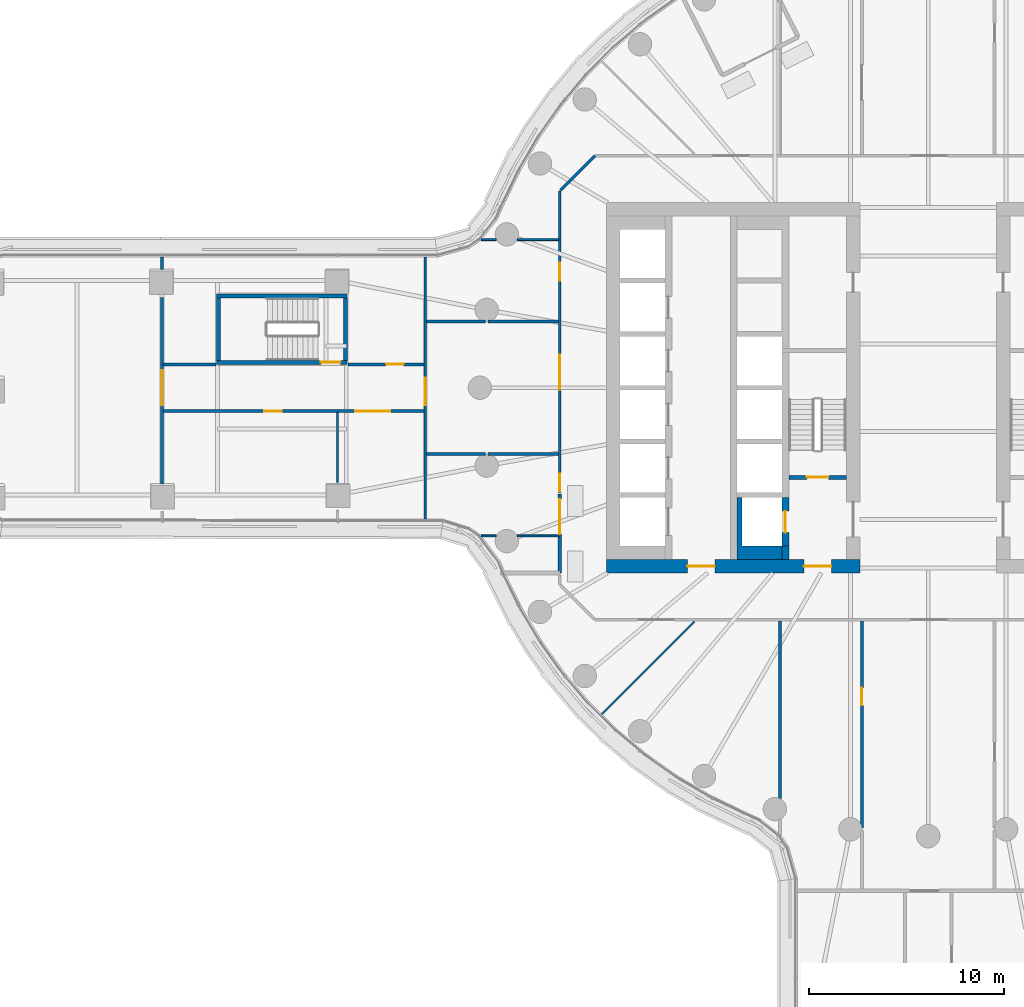
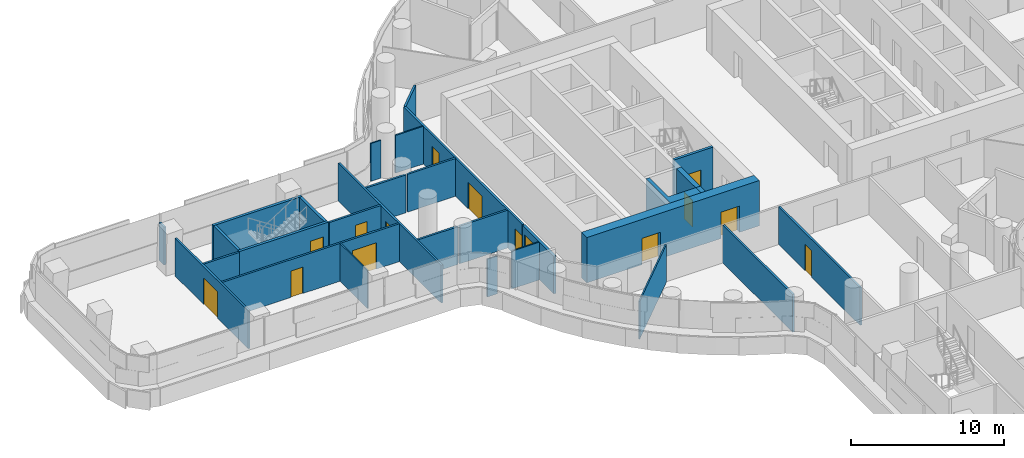
# One storey, part 20 of 32: 30 walls, 15 doors, 15 openings.
"""IFC4 building model written with IfcOpenShell, lengths in metres."""

from ifc_helpers import new_model, si_unit, direction, frame, frame_2d, origin, place, context, subcontext, project, spatial, polyline, rectangle, outline, extrude, material, layer, layer_set, type_object, element, fill, save


model = new_model("IFC4")

# Units and contexts
model_context = context("Model", 3, precision=1e-05, world=origin(), true_north=direction((0.0, 1.0)))
body_context = subcontext(model_context, "Body", "Model", "MODEL_VIEW")
ifc_project = project(units=[si_unit("LENGTHUNIT", "METRE"), si_unit("AREAUNIT", "SQUARE_METRE"), si_unit("VOLUMEUNIT", "CUBIC_METRE"), si_unit("PLANEANGLEUNIT", "RADIAN"), si_unit("MASSUNIT", "GRAM", prefix="KILO")], contexts=[model_context])

# Site, building, storey
site_placement = place(None, origin())
site = spatial("IfcSite", under=ifc_project, at=site_placement, CompositionType="ELEMENT")
building_placement = place(site_placement, origin())
building = spatial("IfcBuilding", under=site, at=building_placement, Name="Tamarind Cross Interchange Tower", CompositionType="ELEMENT")
storey_placement = place(building_placement, frame((0.0, 0.0, 34.0)))
storey = spatial("IfcBuildingStorey", under=building, at=storey_placement, Name="L06", CompositionType="ELEMENT", Elevation=34.0)

# Wall, opening, door
ifc_material_1 = material(Name="Concrete C40", Category="concrete")
ifc_layer_1 = layer(ifc_material_1, 0.199951171875)
ifc_layer_set_1 = layer_set([ifc_layer_1], Name="Concrete C40")
wall_type_1 = type_object("IfcWallType", Name="Balcony and garden door wall", PredefinedType="SOLIDWALL", material=ifc_layer_set_1)
wall_1_placement = place(storey_placement, frame((-18.89990234375, -5.462890625, 0.0), z_axis=(0.0, 0.0, 1.0), x_axis=(0.0, -1.0, 0.0)))
wall_1 = element("IfcWall", 1, at=wall_1_placement, inside=storey, type_object=wall_type_1, Name="EXW-L06-WG-L06-WS", PredefinedType="SOLIDWALL", context=body_context, shape_type="SweptSolid", body=[
    extrude(rectangle(XDim=4.037109375, YDim=0.199951171875, at=frame_2d((2.0185546875, 0.0))), origin(), (0.0, 0.0, 1.0), 3.013916015625),
])
opening_1_placement = place(wall_1_placement, frame((0.25, 0.0, 0.0)))
opening_1 = element("IfcOpeningElement", 2, at=opening_1_placement, cuts=wall_1, Name="Opening D6", PredefinedType="OPENING", context=body_context, shape_type="SweptSolid", body=[
    extrude(rectangle(XDim=1.800048828125, YDim=2.39990234375, at=frame_2d((0.89990234375, 1.199951171875))), frame((0.0, 0.10986328125, 0.0), z_axis=(0.0, -1.0, 0.0), x_axis=(1.0, 0.0, 0.0)), (0.0, 0.0, 1.0), 0.219970703125),
])
ifc_material_2 = material(Name="Aluminium and toughened glass, fire-resisting", Category="aluminium")
door_type_1 = type_object("IfcDoorType", Name="Roof garden door, fire-resisting", OperationType="DOUBLE_DOOR_SINGLE_SWING", PredefinedType="DOOR", material=ifc_material_2)
door_1_placement = place(opening_1_placement, origin())
door_1 = element("IfcDoor", 3, at=door_1_placement, inside=storey, type_object=door_type_1, Name="DOR-L06-WG-L06-WS", OperationType="SINGLE_SWING_LEFT", OverallHeight=2.39990234375, OverallWidth=1.800048828125, PredefinedType="DOOR", context=body_context, shape_type="SweptSolid", body=[
    extrude(rectangle(XDim=1.800048828125, YDim=2.39990234375, at=frame_2d((0.89990234375, 1.199951171875))), frame((0.0, 0.02490234375, 0.0), z_axis=(0.0, -1.0, 0.0), x_axis=(1.0, 0.0, 0.0)), (0.0, 0.0, 1.0), 0.050048828125),
])
fill(opening_1, door_1)

# Wall, openings, doors
ifc_material_3 = material(Name="Concrete C80", Category="concrete")
ifc_layer_2 = layer(ifc_material_3, 0.699951171875)
ifc_layer_set_2 = layer_set([ifc_layer_2], Name="Concrete C80")
wall_type_2 = type_object("IfcWallType", Name="Core wall 700 mm Concrete C80", PredefinedType="SHEAR", material=ifc_layer_set_2)
wall_2_placement = place(storey_placement, frame((-16.5, -9.14990234375, 0.0), z_axis=(0.0, 0.0, 1.0), x_axis=(1.0, 0.0, 0.0)))
wall_2 = element("IfcWall", 4, at=wall_2_placement, inside=storey, type_object=wall_type_2, Name="Core wall CWL-L06-W-S", PredefinedType="SHEAR", context=body_context, shape_type="SweptSolid", body=[
    extrude(rectangle(XDim=13.0, YDim=0.699951171875, at=frame_2d((6.5, 0.0))), origin(), (0.0, 0.0, 1.0), 3.610107421875),
])
opening_2_placement = place(wall_2_placement, frame((4.14990234375, 0.0, 0.0)))
opening_2 = element("IfcOpeningElement", 5, at=opening_2_placement, cuts=wall_2, Name="Opening DCW1", PredefinedType="OPENING", context=body_context, shape_type="SweptSolid", body=[
    extrude(rectangle(XDim=1.39990234375, YDim=2.10009765625, at=frame_2d((0.699951171875, 1.050048828125))), frame((0.0, 0.35986328125, 0.0), z_axis=(0.0, -1.0, 0.0), x_axis=(1.0, 0.0, 0.0)), (0.0, 0.0, 1.0), 0.719970703125),
])
opening_3_placement = place(wall_2_placement, frame((10.125, 0.0, 0.0)))
opening_3 = element("IfcOpeningElement", 6, at=opening_3_placement, cuts=wall_2, Name="Opening DCWF", PredefinedType="OPENING", context=body_context, shape_type="SweptSolid", body=[
    extrude(rectangle(XDim=1.39990234375, YDim=2.10009765625, at=frame_2d((0.699951171875, 1.050048828125))), frame((0.0, 0.35986328125, 0.0), z_axis=(0.0, -1.0, 0.0), x_axis=(1.0, 0.0, 0.0)), (0.0, 0.0, 1.0), 0.719970703125),
])
ifc_material_4 = material(Name="Steel, fire-resisting", Category="steel")
door_type_2 = type_object("IfcDoorType", Name="Core fire door 1400 x 2100 FD90", OperationType="SINGLE_SWING_LEFT", PredefinedType="DOOR", material=ifc_material_4)
door_2_placement = place(opening_2_placement, origin())
door_2 = element("IfcDoor", 7, at=door_2_placement, inside=storey, type_object=door_type_2, Name="L06 lift lobby door", OperationType="SINGLE_SWING_LEFT", OverallHeight=2.10009765625, OverallWidth=1.39990234375, PredefinedType="DOOR", context=body_context, shape_type="SweptSolid", body=[
    extrude(rectangle(XDim=1.39990234375, YDim=2.10009765625, at=frame_2d((0.699951171875, 1.050048828125))), frame((0.0, 0.02490234375, 0.0), z_axis=(0.0, -1.0, 0.0), x_axis=(1.0, 0.0, 0.0)), (0.0, 0.0, 1.0), 0.050048828125),
])
fill(opening_2, door_2)
door_3_placement = place(opening_3_placement, origin())
door_3 = element("IfcDoor", 8, at=door_3_placement, inside=storey, type_object=door_type_2, Name="L06 firefighting lobby end door", OperationType="SINGLE_SWING_LEFT", OverallHeight=2.10009765625, OverallWidth=1.39990234375, PredefinedType="DOOR", context=body_context, shape_type="SweptSolid", body=[
    extrude(rectangle(XDim=1.39990234375, YDim=2.10009765625, at=frame_2d((0.699951171875, 1.050048828125))), frame((0.0, 0.02490234375, 0.0), z_axis=(0.0, -1.0, 0.0), x_axis=(1.0, 0.0, 0.0)), (0.0, 0.0, 1.0), 0.050048828125),
])
fill(opening_3, door_3)

# Walls
ifc_layer_3 = layer(ifc_material_3, 0.35009765625)
ifc_layer_set_3 = layer_set([ifc_layer_3], Name="Concrete C80")
wall_type_3 = type_object("IfcWallType", Name="Core web wall 350 mm Concrete C80", PredefinedType="SHEAR", material=ifc_layer_set_3)
wall_3_placement = place(storey_placement, origin())
element("IfcWall", 9, at=wall_3_placement, inside=storey, type_object=wall_type_3, Name="Core wall CWL-L06-W-BS", PredefinedType="SHEAR", context=body_context, shape_type="SweptSolid", body=[
    extrude(outline(polyline([(-7.5, -8.125), (-9.550048828125, -8.125), (-9.550048828125, -5.625), (-9.800048828125, -5.625), (-9.800048828125, -8.125), (-9.800048828125, -8.800048828125), (-7.5, -8.800048828125), (-7.5, -8.125)])), origin(), (0.0, 0.0, 1.0), 3.610107421875),
])
wall_4_placement = place(storey_placement, frame((-7.324951171875, -8.800048828125, 0.0), z_axis=(0.0, 0.0, 1.0), x_axis=(0.0, 1.0, 0.0)))
element("IfcWall", 10, at=wall_4_placement, inside=storey, type_object=wall_type_3, Name="Core wall CWL-L06-W-BW", PredefinedType="SHEAR", context=body_context, shape_type="SweptSolid", body=[
    extrude(rectangle(XDim=0.675048828125, YDim=0.35009765625, at=frame_2d((0.33740234375, 0.0))), origin(), (0.0, 0.0, 1.0), 3.610107421875),
])

# Wall, opening, door
wall_5_placement = place(storey_placement, frame((-7.324951171875, -8.125, 0.0), z_axis=(0.0, 0.0, 1.0), x_axis=(0.0, 1.0, 0.0)))
wall_5 = element("IfcWall", 11, at=wall_5_placement, inside=storey, type_object=wall_type_3, Name="Core wall CWL-L06-W-FF", PredefinedType="SHEAR", context=body_context, shape_type="SweptSolid", body=[
    extrude(rectangle(XDim=2.5, YDim=0.35009765625, at=frame_2d((1.25, 0.0))), origin(), (0.0, 0.0, 1.0), 3.610107421875),
])
opening_4_placement = place(wall_5_placement, frame((0.699951171875, 0.0, 0.0)))
opening_4 = element("IfcOpeningElement", 12, at=opening_4_placement, cuts=wall_5, Name="Opening LD7L06", PredefinedType="OPENING", context=body_context, shape_type="SweptSolid", body=[
    extrude(rectangle(XDim=1.10009765625, YDim=2.10009765625, at=frame_2d((0.550048828125, 1.050048828125))), frame((0.0, 0.18505859375, 0.0), z_axis=(0.0, -1.0, 0.0), x_axis=(1.0, 0.0, 0.0)), (0.0, 0.0, 1.0), 0.3701171875),
])
ifc_material_5 = material(Name="Stainless steel panel", Category="steel")
door_type_3 = type_object("IfcDoorType", Name="Lift landing door 1100 x 2100 E 120", OperationType="SLIDING_TO_LEFT", PredefinedType="DOOR", material=ifc_material_5)
door_4_placement = place(opening_4_placement, origin())
door_4 = element("IfcDoor", 13, at=door_4_placement, inside=storey, type_object=door_type_3, Name="L06 landing door LF7", OperationType="SLIDING_TO_LEFT", OverallHeight=2.10009765625, OverallWidth=1.10009765625, PredefinedType="DOOR", context=body_context, shape_type="SweptSolid", body=[
    extrude(rectangle(XDim=1.10009765625, YDim=2.10009765625, at=frame_2d((0.550048828125, 1.050048828125))), frame((0.0, 0.02490234375, 0.0), z_axis=(0.0, -1.0, 0.0), x_axis=(1.0, 0.0, 0.0)), (0.0, 0.0, 1.0), 0.050048828125),
])
fill(opening_4, door_4)

# Walls
ifc_material_6 = material(Name="Gypsum board partition on steel studs", Category="steel")
ifc_layer_4 = layer(ifc_material_6, 0.10009765625)
ifc_layer_set_4 = layer_set([ifc_layer_4], Name="Gypsum board partition on steel studs")
wall_type_4 = type_object("IfcWallType", Name="Partition 100 mm EI 120", PredefinedType="PARTITIONING", material=ifc_layer_set_4)
wall_6_placement = place(storey_placement, frame((-21.07421875, -7.60009765625, 0.0), z_axis=(0.0, 0.0, 1.0), x_axis=(1.0, 0.0, 0.0)))
element("IfcWall", 14, at=wall_6_placement, inside=storey, type_object=wall_type_4, Name="Partition L06-020", PredefinedType="PARTITIONING", context=body_context, shape_type="SweptSolid", body=[
    extrude(rectangle(XDim=2.17431640625, YDim=0.10009765625, at=frame_2d((1.087158203125, 0.0))), origin(), (0.0, 0.0, 1.0), 3.010009765625),
])
ifc_layer_5 = layer(ifc_material_6, 0.10009765625)
ifc_layer_set_5 = layer_set([ifc_layer_5], Name="Gypsum board partition on steel studs")
wall_type_5 = type_object("IfcWallType", Name="Partition 100 mm EI 90", PredefinedType="PARTITIONING", material=ifc_layer_set_5)
wall_7_placement = place(storey_placement, frame((-22.921875, -7.60009765625, 0.0), z_axis=(0.0, 0.0, 1.0), x_axis=(1.0, 0.0, 0.0)))
element("IfcWall", 15, at=wall_7_placement, inside=storey, type_object=wall_type_5, Name="Partition L06-019", PredefinedType="PARTITIONING", context=body_context, shape_type="SweptSolid", body=[
    extrude(rectangle(XDim=0.770263671875, YDim=0.10009765625, at=frame_2d((0.38525390625, 0.0))), origin(), (0.0, 0.0, 1.0), 3.010009765625),
])
wall_8_placement = place(storey_placement, frame((-22.920654296875, 7.60009765625, 0.0), z_axis=(0.0, 0.0, 1.0), x_axis=(1.0, 0.0, 0.0)))
element("IfcWall", 16, at=wall_8_placement, inside=storey, type_object=wall_type_5, Name="Partition L06-023", PredefinedType="PARTITIONING", context=body_context, shape_type="SweptSolid", body=[
    extrude(rectangle(XDim=0.76904296875, YDim=0.10009765625, at=frame_2d((0.384521484375, 0.0))), origin(), (0.0, 0.0, 1.0), 3.010009765625),
])
wall_9_placement = place(storey_placement, frame((-21.07421875, 7.60009765625, 0.0), z_axis=(0.0, 0.0, 1.0), x_axis=(1.0, 0.0, 0.0)))
element("IfcWall", 17, at=wall_9_placement, inside=storey, type_object=wall_type_5, Name="Partition L06-024", PredefinedType="PARTITIONING", context=body_context, shape_type="SweptSolid", body=[
    extrude(rectangle(XDim=2.119140625, YDim=0.10009765625, at=frame_2d((1.0595703125, 0.0))), origin(), (0.0, 0.0, 1.0), 3.010009765625),
])
wall_10_placement = place(storey_placement, frame((-16.740478515625, -16.740478515625, 0.0), z_axis=(0.0, 0.0, 1.0), x_axis=(0.707106781187, 0.707106781187, 0.0)))
element("IfcWall", 18, at=wall_10_placement, inside=storey, type_object=wall_type_5, Name="Partition L06-041", PredefinedType="PARTITIONING", context=body_context, shape_type="SweptSolid", body=[
    extrude(rectangle(XDim=6.71533203125, YDim=0.10009765625, at=frame_2d((3.357666015625, 0.0))), origin(), (0.0, 0.0, 1.0), 3.010009765625),
])
wall_11_placement = place(storey_placement, frame((-30.300048828125, -4.85888671875, 0.0), z_axis=(0.0, 0.0, 1.0), x_axis=(0.0, 1.0, 0.0)))
element("IfcWall", 19, at=wall_11_placement, inside=storey, type_object=wall_type_5, Name="Partition L06-048", PredefinedType="PARTITIONING", context=body_context, shape_type="SweptSolid", body=[
    extrude(rectangle(XDim=3.598876953125, YDim=0.10009765625, at=frame_2d((1.79931640625, 0.0))), origin(), (0.0, 0.0, 1.0), 3.010009765625),
])

# Wall, openings, doors
ifc_layer_6 = layer(ifc_material_6, 0.14990234375)
ifc_layer_set_6 = layer_set([ifc_layer_6], Name="Gypsum board partition on steel studs")
wall_type_6 = type_object("IfcWallType", Name="Partition 150 mm EI 120", PredefinedType="PARTITIONING", material=ifc_layer_set_6)
wall_12_placement = place(storey_placement, frame((-39.239990234375, -1.199951171875, 0.0), z_axis=(0.0, 0.0, 1.0), x_axis=(1.0, 0.0, 0.0)))
wall_12 = element("IfcWall", 20, at=wall_12_placement, inside=storey, type_object=wall_type_6, Name="Partition L06-005", PredefinedType="PARTITIONING", context=body_context, shape_type="SweptSolid", body=[
    extrude(rectangle(XDim=13.385009765625, YDim=0.14990234375, at=frame_2d((6.6923828125, 0.0))), origin(), (0.0, 0.0, 1.0), 3.010009765625),
])
opening_5_placement = place(wall_12_placement, frame((5.18994140625, 0.0, 0.0)))
opening_5 = element("IfcOpeningElement", 21, at=opening_5_placement, cuts=wall_12, Name="Opening D01", PredefinedType="OPENING", context=body_context, shape_type="SweptSolid", body=[
    extrude(rectangle(XDim=0.89990234375, YDim=2.10009765625, at=frame_2d((0.449951171875, 1.050048828125))), frame((0.0, 0.0849609375, 0.0), z_axis=(0.0, -1.0, 0.0), x_axis=(1.0, 0.0, 0.0)), (0.0, 0.0, 1.0), 0.169921875),
])
opening_6_placement = place(wall_12_placement, frame((9.840087890625, 0.0, 0.0)))
opening_6 = element("IfcOpeningElement", 22, at=opening_6_placement, cuts=wall_12, Name="Opening D02", PredefinedType="OPENING", context=body_context, shape_type="SweptSolid", body=[
    extrude(rectangle(XDim=1.800048828125, YDim=2.10009765625, at=frame_2d((0.89990234375, 1.050048828125))), frame((0.0, 0.0849609375, 0.0), z_axis=(0.0, -1.0, 0.0), x_axis=(1.0, 0.0, 0.0)), (0.0, 0.0, 1.0), 0.169921875),
])
ifc_material_7 = material(Name="Fire-resisting door set")
door_type_4 = type_object("IfcDoorType", Name="Interior door 1800 x 2100 FD60S", OperationType="DOUBLE_DOOR_SINGLE_SWING", PredefinedType="DOOR", material=ifc_material_7)
door_5_placement = place(opening_6_placement, frame((1.800048828125, 0.0, 0.0), z_axis=(0.0, 0.0, 1.0), x_axis=(-1.0, 0.0, 0.0)))
door_5 = element("IfcDoor", 23, at=door_5_placement, inside=storey, type_object=door_type_4, Name="Door D02", OperationType="DOUBLE_DOOR_SINGLE_SWING", OverallHeight=2.10009765625, OverallWidth=1.800048828125, PredefinedType="DOOR", context=body_context, shape_type="SweptSolid", body=[
    extrude(rectangle(XDim=1.800048828125, YDim=2.10009765625, at=frame_2d((0.89990234375, 1.050048828125))), frame((0.0, 0.02490234375, 0.0), z_axis=(0.0, -1.0, 0.0), x_axis=(1.0, 0.0, 0.0)), (0.0, 0.0, 1.0), 0.050048828125),
])
fill(opening_6, door_5)
door_type_5 = type_object("IfcDoorType", Name="Interior door 900 x 2100 FD60S", OperationType="SINGLE_SWING_LEFT", PredefinedType="DOOR", material=ifc_material_7)
door_6_placement = place(opening_5_placement, frame((0.89990234375, 0.0, 0.0), z_axis=(0.0, 0.0, 1.0), x_axis=(-1.0, 0.0, 0.0)))
door_6 = element("IfcDoor", 24, at=door_6_placement, inside=storey, type_object=door_type_5, Name="Door D01", OperationType="SINGLE_SWING_LEFT", OverallHeight=2.10009765625, OverallWidth=0.89990234375, PredefinedType="DOOR", context=body_context, shape_type="SweptSolid", body=[
    extrude(rectangle(XDim=0.89990234375, YDim=2.10009765625, at=frame_2d((0.449951171875, 1.050048828125))), frame((0.0, 0.02490234375, 0.0), z_axis=(0.0, -1.0, 0.0), x_axis=(1.0, 0.0, 0.0)), (0.0, 0.0, 1.0), 0.050048828125),
])
fill(opening_5, door_6)

# Wall
wall_13_placement = place(storey_placement, frame((-39.239990234375, 1.199951171875, 0.0), z_axis=(0.0, 0.0, 1.0), x_axis=(1.0, 0.0, 0.0)))
element("IfcWall", 25, at=wall_13_placement, inside=storey, type_object=wall_type_6, Name="Partition L06-008", PredefinedType="PARTITIONING", context=body_context, shape_type="SweptSolid", body=[
    extrude(rectangle(XDim=2.699951171875, YDim=0.14990234375, at=frame_2d((1.35009765625, 0.0))), origin(), (0.0, 0.0, 1.0), 3.010009765625),
])

# Wall, opening, door
wall_14_placement = place(storey_placement, frame((-29.760009765625, 1.199951171875, 0.0), z_axis=(0.0, 0.0, 1.0), x_axis=(1.0, 0.0, 0.0)))
wall_14 = element("IfcWall", 26, at=wall_14_placement, inside=storey, type_object=wall_type_6, Name="Partition L06-009", PredefinedType="PARTITIONING", context=body_context, shape_type="SweptSolid", body=[
    extrude(rectangle(XDim=3.905029296875, YDim=0.14990234375, at=frame_2d((1.95263671875, 0.0))), origin(), (0.0, 0.0, 1.0), 3.010009765625),
])
opening_7_placement = place(wall_14_placement, frame((1.949951171875, 0.0, 0.0)))
opening_7 = element("IfcOpeningElement", 27, at=opening_7_placement, cuts=wall_14, Name="Opening D04", PredefinedType="OPENING", context=body_context, shape_type="SweptSolid", body=[
    extrude(rectangle(XDim=0.89990234375, YDim=2.10009765625, at=frame_2d((0.449951171875, 1.050048828125))), frame((0.0, 0.0849609375, 0.0), z_axis=(0.0, -1.0, 0.0), x_axis=(1.0, 0.0, 0.0)), (0.0, 0.0, 1.0), 0.169921875),
])
door_7_placement = place(opening_7_placement, origin())
door_7 = element("IfcDoor", 28, at=door_7_placement, inside=storey, type_object=door_type_5, Name="Door D04", OperationType="SINGLE_SWING_LEFT", OverallHeight=2.10009765625, OverallWidth=0.89990234375, PredefinedType="DOOR", context=body_context, shape_type="SweptSolid", body=[
    extrude(rectangle(XDim=0.89990234375, YDim=2.10009765625, at=frame_2d((0.449951171875, 1.050048828125))), frame((0.0, 0.02490234375, 0.0), z_axis=(0.0, -1.0, 0.0), x_axis=(1.0, 0.0, 0.0)), (0.0, 0.0, 1.0), 0.050048828125),
])
fill(opening_7, door_7)

# Walls
wall_15_placement = place(storey_placement, frame((-25.7451171875, -3.39990234375, 0.0), z_axis=(0.0, 0.0, 1.0), x_axis=(1.0, 0.0, 0.0)))
element("IfcWall", 29, at=wall_15_placement, inside=storey, type_object=wall_type_6, Name="Partition L06-011", PredefinedType="PARTITIONING", context=body_context, shape_type="SweptSolid", body=[
    extrude(rectangle(XDim=3.034423828125, YDim=0.14990234375, at=frame_2d((1.51708984375, 0.0))), origin(), (0.0, 0.0, 1.0), 3.010009765625),
])
wall_16_placement = place(storey_placement, frame((-22.590576171875, -3.39990234375, 0.0), z_axis=(0.0, 0.0, 1.0), x_axis=(1.0, 0.0, 0.0)))
element("IfcWall", 30, at=wall_16_placement, inside=storey, type_object=wall_type_6, Name="Partition L06-012", PredefinedType="PARTITIONING", context=body_context, shape_type="SweptSolid", body=[
    extrude(rectangle(XDim=3.635498046875, YDim=0.14990234375, at=frame_2d((1.81787109375, 0.0))), origin(), (0.0, 0.0, 1.0), 3.010009765625),
])
wall_17_placement = place(storey_placement, frame((-25.7451171875, 3.39990234375, 0.0), z_axis=(0.0, 0.0, 1.0), x_axis=(1.0, 0.0, 0.0)))
element("IfcWall", 31, at=wall_17_placement, inside=storey, type_object=wall_type_6, Name="Partition L06-015", PredefinedType="PARTITIONING", context=body_context, shape_type="SweptSolid", body=[
    extrude(rectangle(XDim=3.034423828125, YDim=0.14990234375, at=frame_2d((1.51708984375, 0.0))), origin(), (0.0, 0.0, 1.0), 3.010009765625),
])
wall_18_placement = place(storey_placement, frame((-22.590576171875, 3.39990234375, 0.0), z_axis=(0.0, 0.0, 1.0), x_axis=(1.0, 0.0, 0.0)))
element("IfcWall", 32, at=wall_18_placement, inside=storey, type_object=wall_type_6, Name="Partition L06-016", PredefinedType="PARTITIONING", context=body_context, shape_type="SweptSolid", body=[
    extrude(rectangle(XDim=3.635498046875, YDim=0.14990234375, at=frame_2d((1.81787109375, 0.0))), origin(), (0.0, 0.0, 1.0), 3.010009765625),
])
wall_19_placement = place(storey_placement, frame((-18.87158203125, 10.12841796875, 0.0), z_axis=(0.0, 0.0, 1.0), x_axis=(0.707106781187, 0.707106781187, 0.0)))
element("IfcWall", 33, at=wall_19_placement, inside=storey, type_object=wall_type_6, Name="Partition L06-040", PredefinedType="PARTITIONING", context=body_context, shape_type="SweptSolid", body=[
    extrude(rectangle(XDim=2.50537109375, YDim=0.14990234375, at=frame_2d((1.252685546875, 0.0))), origin(), (0.0, 0.0, 1.0), 3.010009765625),
])

# Wall, opening, door
wall_20_placement = place(storey_placement, frame((-39.300048828125, -4.941162109375, 0.0), z_axis=(0.0, 0.0, 1.0), x_axis=(0.0, 1.0, 0.0)))
wall_20 = element("IfcWall", 34, at=wall_20_placement, inside=storey, type_object=wall_type_6, Name="Partition L06-045", PredefinedType="PARTITIONING", context=body_context, shape_type="SweptSolid", body=[
    extrude(rectangle(XDim=9.566162109375, YDim=0.14990234375, at=frame_2d((4.783203125, 0.0))), origin(), (0.0, 0.0, 1.0), 3.010009765625),
])
opening_8_placement = place(wall_20_placement, frame((4.041015625, 0.0, 0.0)))
opening_8 = element("IfcOpeningElement", 35, at=opening_8_placement, cuts=wall_20, Name="Opening D19", PredefinedType="OPENING", context=body_context, shape_type="SweptSolid", body=[
    extrude(rectangle(XDim=1.800048828125, YDim=2.10009765625, at=frame_2d((0.89990234375, 1.050048828125))), frame((0.0, 0.0849609375, 0.0), z_axis=(0.0, -1.0, 0.0), x_axis=(1.0, 0.0, 0.0)), (0.0, 0.0, 1.0), 0.169921875),
])
door_8_placement = place(opening_8_placement, origin())
door_8 = element("IfcDoor", 36, at=door_8_placement, inside=storey, type_object=door_type_4, Name="Door D19", OperationType="DOUBLE_DOOR_SINGLE_SWING", OverallHeight=2.10009765625, OverallWidth=1.800048828125, PredefinedType="DOOR", context=body_context, shape_type="SweptSolid", body=[
    extrude(rectangle(XDim=1.800048828125, YDim=2.10009765625, at=frame_2d((0.89990234375, 1.050048828125))), frame((0.0, 0.02490234375, 0.0), z_axis=(0.0, -1.0, 0.0), x_axis=(1.0, 0.0, 0.0)), (0.0, 0.0, 1.0), 0.050048828125),
])
fill(opening_8, door_8)

# Wall
wall_21_placement = place(storey_placement, frame((-39.300048828125, 6.058837890625, 0.0), z_axis=(0.0, 0.0, 1.0), x_axis=(0.0, 1.0, 0.0)))
element("IfcWall", 37, at=wall_21_placement, inside=storey, type_object=wall_type_6, Name="Partition L06-046", PredefinedType="PARTITIONING", context=body_context, shape_type="SweptSolid", body=[
    extrude(rectangle(XDim=0.64013671875, YDim=0.14990234375, at=frame_2d((0.320068359375, 0.0))), origin(), (0.0, 0.0, 1.0), 3.010009765625),
])

# Wall, opening, door
wall_22_placement = place(storey_placement, frame((-25.800048828125, -6.74169921875, 0.0), z_axis=(0.0, 0.0, 1.0), x_axis=(0.0, 1.0, 0.0)))
wall_22 = element("IfcWall", 38, at=wall_22_placement, inside=storey, type_object=wall_type_6, Name="Partition L06-049", PredefinedType="PARTITIONING", context=body_context, shape_type="SweptSolid", body=[
    extrude(rectangle(XDim=13.440673828125, YDim=0.14990234375, at=frame_2d((6.72021484375, 0.0))), origin(), (0.0, 0.0, 1.0), 3.010009765625),
])
opening_9_placement = place(wall_22_placement, frame((5.841552734375, 0.0, 0.0)))
opening_9 = element("IfcOpeningElement", 39, at=opening_9_placement, cuts=wall_22, Name="Opening D20", PredefinedType="OPENING", context=body_context, shape_type="SweptSolid", body=[
    extrude(rectangle(XDim=1.39990234375, YDim=2.10009765625, at=frame_2d((0.699951171875, 1.050048828125))), frame((0.0, 0.0849609375, 0.0), z_axis=(0.0, -1.0, 0.0), x_axis=(1.0, 0.0, 0.0)), (0.0, 0.0, 1.0), 0.169921875),
])
door_type_6 = type_object("IfcDoorType", Name="Interior door 1400 x 2100 FD60S", OperationType="DOUBLE_DOOR_SINGLE_SWING", PredefinedType="DOOR", material=ifc_material_7)
door_9_placement = place(opening_9_placement, frame((1.39990234375, 0.0, 0.0), z_axis=(0.0, 0.0, 1.0), x_axis=(-1.0, 0.0, 0.0)))
door_9 = element("IfcDoor", 40, at=door_9_placement, inside=storey, type_object=door_type_6, Name="Door D20", OperationType="DOUBLE_DOOR_SINGLE_SWING", OverallHeight=2.10009765625, OverallWidth=1.39990234375, PredefinedType="DOOR", context=body_context, shape_type="SweptSolid", body=[
    extrude(rectangle(XDim=1.39990234375, YDim=2.10009765625, at=frame_2d((0.699951171875, 1.050048828125))), frame((0.0, 0.02490234375, 0.0), z_axis=(0.0, -1.0, 0.0), x_axis=(1.0, 0.0, 0.0)), (0.0, 0.0, 1.0), 0.050048828125),
])
fill(opening_9, door_9)

# Wall, openings, doors
wall_23_placement = place(storey_placement, frame((-18.89990234375, -5.36279296875, 0.0), z_axis=(0.0, 0.0, 1.0), x_axis=(0.0, 1.0, 0.0)))
wall_23 = element("IfcWall", 41, at=wall_23_placement, inside=storey, type_object=wall_type_6, Name="Partition L06-051", PredefinedType="PARTITIONING", context=body_context, shape_type="SweptSolid", body=[
    extrude(rectangle(XDim=15.462890625, YDim=0.14990234375, at=frame_2d((7.7314453125, 0.0))), origin(), (0.0, 0.0, 1.0), 3.010009765625),
])
opening_10_placement = place(wall_23_placement, frame((5.262939453125, 0.0, 0.0)))
opening_10 = element("IfcOpeningElement", 42, at=opening_10_placement, cuts=wall_23, Name="Opening D21", PredefinedType="OPENING", context=body_context, shape_type="SweptSolid", body=[
    extrude(rectangle(XDim=1.800048828125, YDim=2.10009765625, at=frame_2d((0.89990234375, 1.050048828125))), frame((0.0, 0.0849609375, 0.0), z_axis=(0.0, -1.0, 0.0), x_axis=(1.0, 0.0, 0.0)), (0.0, 0.0, 1.0), 0.169921875),
])
opening_11_placement = place(wall_23_placement, frame((0.0498046875, 0.0, 0.0)))
opening_11 = element("IfcOpeningElement", 43, at=opening_11_placement, cuts=wall_23, Name="Opening D22", PredefinedType="OPENING", context=body_context, shape_type="SweptSolid", body=[
    extrude(rectangle(XDim=0.89990234375, YDim=2.10009765625, at=frame_2d((0.449951171875, 1.050048828125))), frame((0.0, 0.0849609375, 0.0), z_axis=(0.0, -1.0, 0.0), x_axis=(1.0, 0.0, 0.0)), (0.0, 0.0, 1.0), 0.169921875),
])
opening_12_placement = place(wall_23_placement, frame((10.86279296875, 0.0, 0.0)))
opening_12 = element("IfcOpeningElement", 44, at=opening_12_placement, cuts=wall_23, Name="Opening D23", PredefinedType="OPENING", context=body_context, shape_type="SweptSolid", body=[
    extrude(rectangle(XDim=0.89990234375, YDim=2.10009765625, at=frame_2d((0.449951171875, 1.050048828125))), frame((0.0, 0.0849609375, 0.0), z_axis=(0.0, -1.0, 0.0), x_axis=(1.0, 0.0, 0.0)), (0.0, 0.0, 1.0), 0.169921875),
])
door_10_placement = place(opening_10_placement, frame((1.800048828125, 0.0, 0.0), z_axis=(0.0, 0.0, 1.0), x_axis=(-1.0, 0.0, 0.0)))
door_10 = element("IfcDoor", 45, at=door_10_placement, inside=storey, type_object=door_type_4, Name="Door D21", OperationType="DOUBLE_DOOR_SINGLE_SWING", OverallHeight=2.10009765625, OverallWidth=1.800048828125, PredefinedType="DOOR", context=body_context, shape_type="SweptSolid", body=[
    extrude(rectangle(XDim=1.800048828125, YDim=2.10009765625, at=frame_2d((0.89990234375, 1.050048828125))), frame((0.0, 0.02490234375, 0.0), z_axis=(0.0, -1.0, 0.0), x_axis=(1.0, 0.0, 0.0)), (0.0, 0.0, 1.0), 0.050048828125),
])
fill(opening_10, door_10)
door_11_placement = place(opening_11_placement, origin())
door_11 = element("IfcDoor", 46, at=door_11_placement, inside=storey, type_object=door_type_5, Name="Door D22", OperationType="SINGLE_SWING_RIGHT", OverallHeight=2.10009765625, OverallWidth=0.89990234375, PredefinedType="DOOR", context=body_context, shape_type="SweptSolid", body=[
    extrude(rectangle(XDim=0.89990234375, YDim=2.10009765625, at=frame_2d((0.449951171875, 1.050048828125))), frame((0.0, 0.02490234375, 0.0), z_axis=(0.0, -1.0, 0.0), x_axis=(1.0, 0.0, 0.0)), (0.0, 0.0, 1.0), 0.050048828125),
])
fill(opening_11, door_11)
door_12_placement = place(opening_12_placement, origin())
door_12 = element("IfcDoor", 47, at=door_12_placement, inside=storey, type_object=door_type_5, Name="Door D23", OperationType="SINGLE_SWING_LEFT", OverallHeight=2.10009765625, OverallWidth=0.89990234375, PredefinedType="DOOR", context=body_context, shape_type="SweptSolid", body=[
    extrude(rectangle(XDim=0.89990234375, YDim=2.10009765625, at=frame_2d((0.449951171875, 1.050048828125))), frame((0.0, 0.02490234375, 0.0), z_axis=(0.0, -1.0, 0.0), x_axis=(1.0, 0.0, 0.0)), (0.0, 0.0, 1.0), 0.050048828125),
])
fill(opening_12, door_12)

# Wall
wall_24_placement = place(storey_placement, frame((-7.60009765625, -21.07421875, 0.0), z_axis=(0.0, 0.0, 1.0), x_axis=(0.0, 1.0, 0.0)))
element("IfcWall", 48, at=wall_24_placement, inside=storey, type_object=wall_type_6, Name="Partition L06-053", PredefinedType="PARTITIONING", context=body_context, shape_type="SweptSolid", body=[
    extrude(rectangle(XDim=9.119140625, YDim=0.14990234375, at=frame_2d((4.5595703125, 0.0))), origin(), (0.0, 0.0, 1.0), 3.010009765625),
])

# Wall, opening, door
wall_25_placement = place(storey_placement, frame((-3.39990234375, -22.590576171875, 0.0), z_axis=(0.0, 0.0, 1.0), x_axis=(0.0, 1.0, 0.0)))
wall_25 = element("IfcWall", 49, at=wall_25_placement, inside=storey, type_object=wall_type_6, Name="Partition L06-058", PredefinedType="PARTITIONING", context=body_context, shape_type="SweptSolid", body=[
    extrude(rectangle(XDim=10.635498046875, YDim=0.14990234375, at=frame_2d((5.31787109375, 0.0))), origin(), (0.0, 0.0, 1.0), 3.010009765625),
])
opening_13_placement = place(wall_25_placement, frame((6.300048828125, 0.0, 0.0)))
opening_13 = element("IfcOpeningElement", 50, at=opening_13_placement, cuts=wall_25, Name="Opening D24", PredefinedType="OPENING", context=body_context, shape_type="SweptSolid", body=[
    extrude(rectangle(XDim=0.89990234375, YDim=2.10009765625, at=frame_2d((0.449951171875, 1.050048828125))), frame((0.0, 0.0849609375, 0.0), z_axis=(0.0, -1.0, 0.0), x_axis=(1.0, 0.0, 0.0)), (0.0, 0.0, 1.0), 0.169921875),
])
door_13_placement = place(opening_13_placement, origin())
door_13 = element("IfcDoor", 51, at=door_13_placement, inside=storey, type_object=door_type_5, Name="Door D24", OperationType="SINGLE_SWING_LEFT", OverallHeight=2.10009765625, OverallWidth=0.89990234375, PredefinedType="DOOR", context=body_context, shape_type="SweptSolid", body=[
    extrude(rectangle(XDim=0.89990234375, YDim=2.10009765625, at=frame_2d((0.449951171875, 1.050048828125))), frame((0.0, 0.02490234375, 0.0), z_axis=(0.0, -1.0, 0.0), x_axis=(1.0, 0.0, 0.0)), (0.0, 0.0, 1.0), 0.050048828125),
])
fill(opening_13, door_13)

ifc_layer_7 = layer(ifc_material_1, 0.199951171875)
ifc_layer_set_7 = layer_set([ifc_layer_7], Name="Concrete C40")
wall_type_7 = type_object("IfcWallType", Name="Stair shaft wall 200 mm Concrete C40", PredefinedType="SHEAR", material=ifc_layer_set_7)
wall_26_placement = place(storey_placement, frame((-7.14990234375, -4.60009765625, 0.0), z_axis=(0.0, 0.0, 1.0), x_axis=(1.0, 0.0, 0.0)))
wall_26 = element("IfcWall", 52, at=wall_26_placement, inside=storey, type_object=wall_type_7, Name="Core wall CWL-L06-W-SD", PredefinedType="SHEAR", context=body_context, shape_type="SweptSolid", body=[
    extrude(rectangle(XDim=2.949951171875, YDim=0.199951171875, at=frame_2d((1.47509765625, 0.0))), origin(), (0.0, 0.0, 1.0), 3.610107421875),
])
opening_14_placement = place(wall_26_placement, frame((0.925048828125, 0.0, 0.0)))
opening_14 = element("IfcOpeningElement", 53, at=opening_14_placement, cuts=wall_26, Name="Opening DCW6", PredefinedType="OPENING", context=body_context, shape_type="SweptSolid", body=[
    extrude(rectangle(XDim=1.10009765625, YDim=2.10009765625, at=frame_2d((0.550048828125, 1.050048828125))), frame((0.0, 0.10986328125, 0.0), z_axis=(0.0, -1.0, 0.0), x_axis=(1.0, 0.0, 0.0)), (0.0, 0.0, 1.0), 0.219970703125),
])
door_type_7 = type_object("IfcDoorType", Name="Core fire door 1100 x 2100 FD90", OperationType="SINGLE_SWING_LEFT", PredefinedType="DOOR", material=ifc_material_4)
door_14_placement = place(opening_14_placement, origin())
door_14 = element("IfcDoor", 54, at=door_14_placement, inside=storey, type_object=door_type_7, Name="L06 stair door", OperationType="SINGLE_SWING_LEFT", OverallHeight=2.10009765625, OverallWidth=1.10009765625, PredefinedType="DOOR", context=body_context, shape_type="SweptSolid", body=[
    extrude(rectangle(XDim=1.10009765625, YDim=2.10009765625, at=frame_2d((0.550048828125, 1.050048828125))), frame((0.0, 0.02490234375, 0.0), z_axis=(0.0, -1.0, 0.0), x_axis=(1.0, 0.0, 0.0)), (0.0, 0.0, 1.0), 0.050048828125),
])
fill(opening_14, door_14)

wall_27_placement = place(storey_placement, frame((-29.800048828125, 1.300048828125, -0.139892578125), z_axis=(0.0, 0.0, 1.0), x_axis=(-1.0, 0.0, 0.0)))
wall_27 = element("IfcWall", 55, at=wall_27_placement, inside=storey, type_object=wall_type_7, Name="Core wall CWL-L06-ST5-H", PredefinedType="SHEAR", context=body_context, shape_type="SweptSolid", body=[
    extrude(rectangle(XDim=6.699951171875, YDim=0.199951171875, at=frame_2d((3.35009765625, 0.0))), origin(), (0.0, 0.0, 1.0), 3.14990234375),
])
opening_15_placement = place(wall_27_placement, frame((0.35009765625, 0.0, 0.0)))
opening_15 = element("IfcOpeningElement", 56, at=opening_15_placement, cuts=wall_27, Name="Opening ST5L06", PredefinedType="OPENING", context=body_context, shape_type="SweptSolid", body=[
    extrude(rectangle(XDim=1.0, YDim=2.10009765625, at=frame_2d((0.5, 1.050048828125))), frame((0.0, 0.10986328125, 0.0), z_axis=(0.0, -1.0, 0.0), x_axis=(1.0, 0.0, 0.0)), (0.0, 0.0, 1.0), 0.219970703125),
])
door_type_8 = type_object("IfcDoorType", Name="Core fire door 1000 x 2100 FD90", OperationType="SINGLE_SWING_LEFT", PredefinedType="DOOR", material=ifc_material_4)
door_15_placement = place(opening_15_placement, origin())
door_15 = element("IfcDoor", 57, at=door_15_placement, inside=storey, type_object=door_type_8, Name="L06 stair door ST5", OperationType="SINGLE_SWING_LEFT", OverallHeight=2.10009765625, OverallWidth=1.0, PredefinedType="DOOR", context=body_context, shape_type="SweptSolid", body=[
    extrude(rectangle(XDim=1.0, YDim=2.10009765625, at=frame_2d((0.5, 1.050048828125))), frame((0.0, 0.02490234375, 0.0), z_axis=(0.0, -1.0, 0.0), x_axis=(1.0, 0.0, 0.0)), (0.0, 0.0, 1.0), 0.050048828125),
])
fill(opening_15, door_15)

# Walls
wall_28_placement = place(storey_placement, frame((-29.800048828125, 4.699951171875, -0.139892578125), z_axis=(0.0, 0.0, 1.0), x_axis=(-1.0, 0.0, 0.0)))
element("IfcWall", 58, at=wall_28_placement, inside=storey, type_object=wall_type_7, Name="Core wall CWL-L06-ST5-C", PredefinedType="SHEAR", context=body_context, shape_type="SweptSolid", body=[
    extrude(rectangle(XDim=6.699951171875, YDim=0.199951171875, at=frame_2d((3.35009765625, 0.0))), origin(), (0.0, 0.0, 1.0), 3.14990234375),
])
wall_29_placement = place(storey_placement, frame((-29.89990234375, 4.60009765625, -0.139892578125), z_axis=(0.0, 0.0, 1.0), x_axis=(0.0, -1.0, 0.0)))
element("IfcWall", 59, at=wall_29_placement, inside=storey, type_object=wall_type_7, Name="Core wall CWL-L06-ST5-CE", PredefinedType="SHEAR", context=body_context, shape_type="SweptSolid", body=[
    extrude(rectangle(XDim=3.2001953125, YDim=0.199951171875, at=frame_2d((1.60009765625, 0.0))), origin(), (0.0, 0.0, 1.0), 3.14990234375),
])
wall_30_placement = place(storey_placement, frame((0.0, 0.0, -0.139892578125)))
element("IfcWall", 60, at=wall_30_placement, inside=storey, type_object=wall_type_7, Name="Core wall CWL-L06-ST5-CF", PredefinedType="SHEAR", context=body_context, shape_type="SweptSolid", body=[
    extrude(outline(polyline([(-36.300048828125, 4.60009765625), (-36.5, 4.60009765625), (-36.5, 1.39990234375), (-36.300048828125, 1.39990234375), (-36.300048828125, 4.60009765625)])), origin(), (0.0, 0.0, 1.0), 3.14990234375),
])

save(model, "model.ifc")
